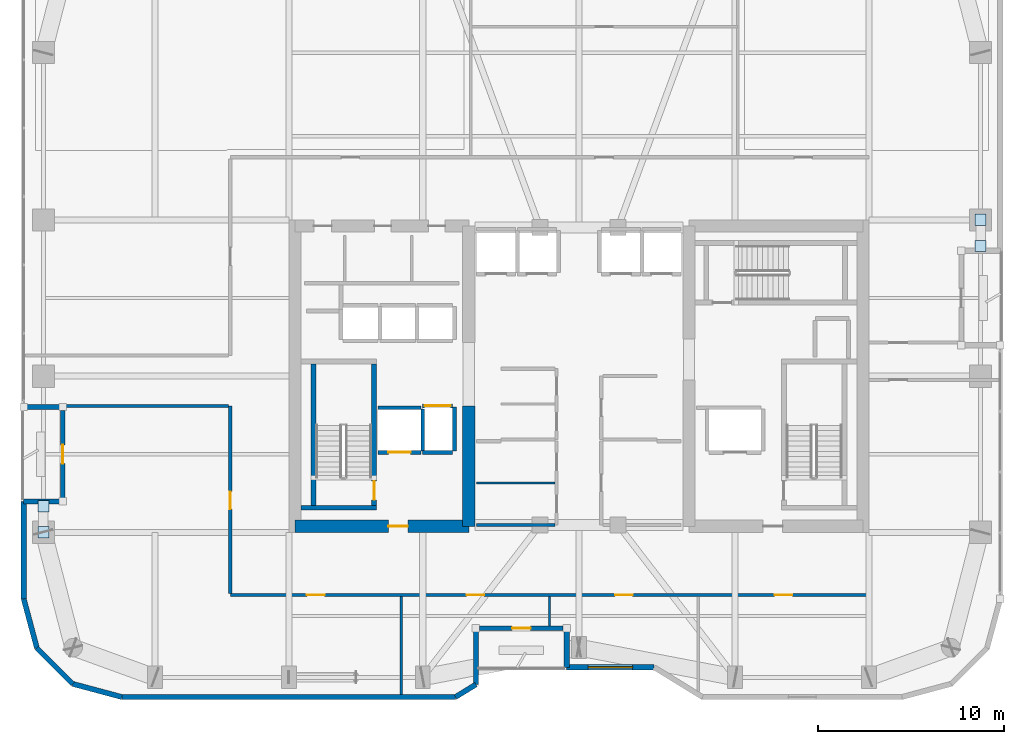
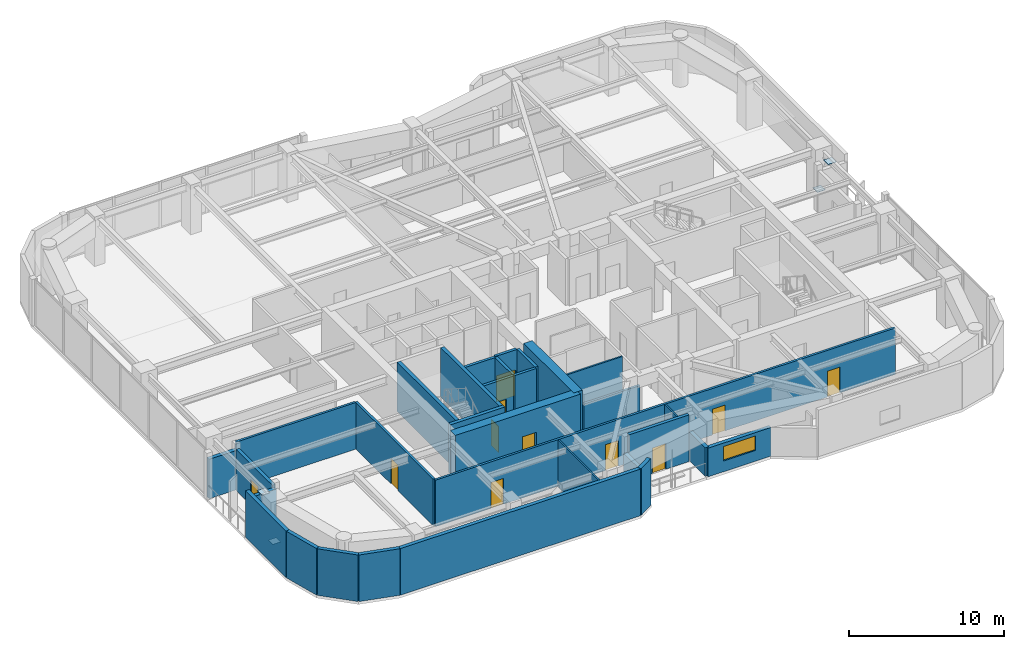
# One storey, part 24 of 30: 31 walls, 11 doors, 4 plates, 1 window, 12 openings.
"""IFC4 building model written with IfcOpenShell, lengths in metres."""

from ifc_helpers import new_model, si_unit, direction, frame, frame_2d, origin, origin_2d, place, context, subcontext, project, spatial, rectangle, extrude, material, layer, layer_set, type_object, element, fill, save


model = new_model("IFC4")

# Units and contexts
model_context = context("Model", 3, precision=1e-05, world=origin(), true_north=direction((0.0, 1.0)))
body_context = subcontext(model_context, "Body", "Model", "MODEL_VIEW")
ifc_project = project(units=[si_unit("LENGTHUNIT", "METRE"), si_unit("AREAUNIT", "SQUARE_METRE"), si_unit("VOLUMEUNIT", "CUBIC_METRE"), si_unit("PLANEANGLEUNIT", "RADIAN"), si_unit("MASSUNIT", "GRAM", prefix="KILO")], contexts=[model_context])

# Site, building, storey
site_placement = place(None, origin())
site = spatial("IfcSite", under=ifc_project, at=site_placement, CompositionType="ELEMENT")
building_placement = place(site_placement, origin())
building = spatial("IfcBuilding", under=site, at=building_placement, Name="Kiyonajd Concourse Tower", CompositionType="ELEMENT")
storey_placement = place(building_placement, frame((0.0, 0.0, 190.199951171875)))
storey = spatial("IfcBuildingStorey", under=building, at=storey_placement, Name="L48", CompositionType="ELEMENT", Elevation=190.199951171875)

# Plates
ifc_material_1 = material(Name="Steel ASTM A572 Grade 50", Category="steel")
ifc_layer_1 = layer(ifc_material_1, 0.028076171875)
ifc_layer_set_1 = layer_set([ifc_layer_1], Name="Steel ASTM A572 Grade 50")
plate_type = type_object("IfcPlateType", Name="PL-CAP-450", PredefinedType="USERDEFINED", material=ifc_layer_set_1)
for number, where, z_axis, x_axis, name in (
    (1, (19.199951171875, 27.595458984375, 0.27587890625), (0.0, 0.0, 1.0), (1.0, 0.0, 0.0), "L48 Hollow Brace End Cap Plate PBW"),
    (2, (19.199951171875, 29.004638671875, 3.326171875), (0.0, 0.0, 1.0), (1.0, 0.0, 0.0), "L48 Hollow Brace Top Cap Plate PBW"),
    (3, (69.60009765625, 44.404541015625, 0.27587890625), (0.0, 0.0, 1.0), (1.0, 0.0, 0.0), "L48 Hollow Brace End Cap Plate PBE"),
    (4, (69.60009765625, 42.995361328125, 3.326171875), (0.0, 0.0, 1.0), (1.0, 0.0, 0.0), "L48 Hollow Brace Top Cap Plate PBE"),
):
    element("IfcPlate", number, at=place(storey_placement, frame(where, z_axis=z_axis, x_axis=x_axis)), inside=storey, type_object=plate_type, Name=name, ObjectType="CAP PLATE", PredefinedType="USERDEFINED", context=body_context, shape_type="SweptSolid", body=[
        extrude(rectangle(XDim=0.60791015625, YDim=0.60791015625, at=origin_2d()), origin(), (0.0, 0.0, 1.0), 0.028076171875),
    ])

# Wall
ifc_material_2 = material(Name="Concrete C60/75", Category="concrete")
ifc_layer_2 = layer(ifc_material_2, 0.64990234375)
ifc_layer_set_2 = layer_set([ifc_layer_2], Name="Concrete C60/75")
wall_type_1 = type_object("IfcWallType", Name="WL-CORE-650", PredefinedType="SHEAR", material=ifc_layer_set_2)
wall_1_placement = place(storey_placement, frame((42.074951171875, 27.925048828125, 0.0), z_axis=(0.0, 0.0, 1.0), x_axis=(0.0, 1.0, 0.0)))
element("IfcWall", 5, at=wall_1_placement, inside=storey, type_object=wall_type_1, Name="L48 West Core Inner South Shear Wall", PredefinedType="SHEAR", context=body_context, shape_type="SweptSolid", body=[
    extrude(rectangle(XDim=6.474853515625, YDim=0.64990234375, at=frame_2d((3.2373046875, 0.0))), origin(), (0.0, 0.0, 1.0), 3.900146484375),
])

# Wall, opening, door
wall_2_placement = place(storey_placement, frame((32.72509765625, 27.925048828125, 0.0), z_axis=(0.0, 0.0, 1.0), x_axis=(1.0, 0.0, 0.0)))
wall_2 = element("IfcWall", 6, at=wall_2_placement, inside=storey, type_object=wall_type_1, Name="L48 West Core South Shear Wall", PredefinedType="SHEAR", context=body_context, shape_type="SweptSolid", body=[
    extrude(rectangle(XDim=9.349853515625, YDim=0.64990234375, at=frame_2d((4.6748046875, 0.0))), origin(), (0.0, 0.0, 1.0), 3.900146484375),
])
opening_1_placement = place(wall_2_placement, frame((5.02490234375, 0.0, 0.0)))
opening_1 = element("IfcOpeningElement", 7, at=opening_1_placement, cuts=wall_2, Name="Opening DF5", PredefinedType="OPENING", context=body_context, shape_type="SweptSolid", body=[
    extrude(rectangle(XDim=1.050048828125, YDim=2.0400390625, at=frame_2d((0.52490234375, 1.02001953125))), frame((0.0, 0.3349609375, 0.0), z_axis=(0.0, -1.0, 0.0), x_axis=(1.0, 0.0, 0.0)), (0.0, 0.0, 1.0), 0.669921875),
])
ifc_material_3 = material(Name="Brushed Stainless Steel Cab Assembly", Category="steel")
door_type_1 = type_object("IfcDoorType", Name="DR-FD45-1050", OperationType="NOTDEFINED", PredefinedType="DOOR", material=ifc_material_3)
door_1_placement = place(opening_1_placement, origin())
door_1 = element("IfcDoor", 8, at=door_1_placement, inside=storey, type_object=door_type_1, Name="L48 Firefighting Lift Lobby W Smoke Door", OperationType="SINGLE_SWING_LEFT", OverallHeight=2.0400390625, OverallWidth=1.050048828125, PredefinedType="DOOR", context=body_context, shape_type="SweptSolid", body=[
    extrude(rectangle(XDim=1.050048828125, YDim=2.0400390625, at=frame_2d((0.52490234375, 1.02001953125))), frame((0.0, 0.02490234375, 0.0), z_axis=(0.0, -1.0, 0.0), x_axis=(1.0, 0.0, 0.0)), (0.0, 0.0, 1.0), 0.050048828125),
])
fill(opening_1, door_1)

# Walls
ifc_material_4 = material(Name="Precast concrete C50/60", Category="concrete")
ifc_layer_3 = layer(ifc_material_4, 0.280029296875)
ifc_layer_set_3 = layer_set([ifc_layer_3], Name="Precast concrete C50/60")
wall_type_2 = type_object("IfcWallType", Name="WL-EXT-280", PredefinedType="SOLIDWALL", material=ifc_layer_set_3)
wall_3_placement = place(storey_placement, frame((18.848388671875, 21.37255859375, 0.0), z_axis=(0.0, 0.0, 1.0), x_axis=(-0.258672222976, 0.9659651552, 0.0)))
element("IfcWall", 9, at=wall_3_placement, inside=storey, type_object=wall_type_2, Name="L48 Exterior Concrete Frame Wall 00", PredefinedType="SOLIDWALL", context=body_context, shape_type="SweptSolid", body=[
    extrude(rectangle(XDim=2.739013671875, YDim=0.280029296875, at=frame_2d((1.36962890625, 0.0))), origin(), (0.0, 0.0, 1.0), 3.679931640625),
])
wall_4_placement = place(storey_placement, frame((18.139892578125, 24.018310546875, 0.0), z_axis=(0.0, 0.0, 1.0), x_axis=(0.0, 1.0, 0.0)))
element("IfcWall", 10, at=wall_4_placement, inside=storey, type_object=wall_type_2, Name="L48 Exterior Concrete Frame Wall 01", PredefinedType="SOLIDWALL", context=body_context, shape_type="SweptSolid", body=[
    extrude(rectangle(XDim=5.24169921875, YDim=0.280029296875, at=frame_2d((2.620849609375, 0.0))), origin(), (0.0, 0.0, 1.0), 3.679931640625),
])
for number, where, z_axis, x_axis, name in (
    (11, (18.139892578125, 29.260009765625, 0.0), (0.0, 0.0, 1.0), (1.0, 0.0, 0.0), "L48 Exterior Concrete Frame Wall 02"),
    (12, (20.239990234375, 34.340087890625, 0.0), (0.0, 0.0, 1.0), (-1.0, 0.0, 0.0), "L48 Exterior Concrete Frame Wall 04"),
):
    element("IfcWall", number, at=place(storey_placement, frame(where, z_axis=z_axis, x_axis=x_axis)), inside=storey, type_object=wall_type_2, Name=name, PredefinedType="SOLIDWALL", context=body_context, shape_type="SweptSolid", body=[
        extrude(rectangle(XDim=2.10009765625, YDim=0.280029296875, at=frame_2d((1.050048828125, 0.0))), origin(), (0.0, 0.0, 1.0), 3.115966796875),
    ])

# Wall, opening, window
wall_5_placement = place(storey_placement, frame((52.03955078125, 20.340087890625, 0.0), z_axis=(0.0, 0.0, 1.0), x_axis=(-1.0, 0.0, 0.0)))
wall_5 = element("IfcWall", 13, at=wall_5_placement, inside=storey, type_object=wall_type_2, Name="L48 Exterior Concrete Frame Wall 30", PredefinedType="SOLIDWALL", context=body_context, shape_type="SweptSolid", body=[
    extrude(rectangle(XDim=4.699462890625, YDim=0.280029296875, at=frame_2d((2.349609375, 0.0))), origin(), (0.0, 0.0, 1.0), 2.26513671875),
])
opening_2_placement = place(wall_5_placement, frame((1.14990234375, 0.0, 0.85009765625)))
opening_2 = element("IfcOpeningElement", 14, at=opening_2_placement, cuts=wall_5, Name="Opening WN4", PredefinedType="OPENING", context=body_context, shape_type="SweptSolid", body=[
    extrude(rectangle(XDim=2.39990234375, YDim=1.14990234375, at=frame_2d((1.199951171875, 0.574951171875))), frame((0.0, 0.14990234375, 0.0), z_axis=(0.0, -1.0, 0.0), x_axis=(1.0, 0.0, 0.0)), (0.0, 0.0, 1.0), 0.300048828125),
])
ifc_material_5 = material(Name="Double Low-E Insulated Glass", Category="glass")
window_type = type_object("IfcWindowType", Name="WN-VIS-2400x1150", PartitioningType="SINGLE_PANEL", PredefinedType="WINDOW", material=ifc_material_5)
window_placement = place(opening_2_placement, origin())
window = element("IfcWindow", 15, at=window_placement, inside=storey, type_object=window_type, Name="L48 Modular Facade Vision Window 30", OverallHeight=1.14990234375, OverallWidth=2.39990234375, PartitioningType="SINGLE_PANEL", PredefinedType="WINDOW", context=body_context, shape_type="SweptSolid", body=[
    extrude(rectangle(XDim=2.39990234375, YDim=1.14990234375, at=frame_2d((1.199951171875, 0.574951171875))), frame((0.0, 0.030029296875, 0.0), z_axis=(0.0, -1.0, 0.0), x_axis=(1.0, 0.0, 0.0)), (0.0, 0.0, 1.0), 0.06005859375),
])
fill(opening_2, window)

# Walls
wall_6_placement = place(storey_placement, frame((47.340087890625, 20.340087890625, 0.0), z_axis=(0.0, 0.0, 1.0), x_axis=(0.0, 1.0, 0.0)))
element("IfcWall", 16, at=wall_6_placement, inside=storey, type_object=wall_type_2, Name="L48 Exterior Concrete Frame Wall 31", PredefinedType="SOLIDWALL", context=body_context, shape_type="SweptSolid", body=[
    extrude(rectangle(XDim=2.099853515625, YDim=0.280029296875, at=frame_2d((1.0498046875, 0.0))), origin(), (0.0, 0.0, 1.0), 2.26513671875),
])
wall_7_placement = place(storey_placement, frame((42.4599609375, 22.43994140625, 0.0), z_axis=(0.0, 0.0, 1.0), x_axis=(0.0, -1.0, 0.0)))
element("IfcWall", 17, at=wall_7_placement, inside=storey, type_object=wall_type_2, Name="L48 Exterior Concrete Frame Wall 33", PredefinedType="SOLIDWALL", context=body_context, shape_type="SweptSolid", body=[
    extrude(rectangle(XDim=3.023681640625, YDim=0.280029296875, at=frame_2d((1.51171875, 0.0))), origin(), (0.0, 0.0, 1.0), 2.26513671875),
])
wall_8_placement = place(storey_placement, frame((42.4599609375, 19.416259765625, 0.0), z_axis=(0.0, 0.0, 1.0), x_axis=(-0.851801140441, -0.523865266212, 0.0)))
element("IfcWall", 18, at=wall_8_placement, inside=storey, type_object=wall_type_2, Name="L48 Exterior Concrete Frame Wall 34", PredefinedType="SOLIDWALL", context=body_context, shape_type="SweptSolid", body=[
    extrude(rectangle(XDim=1.291015625, YDim=0.280029296875, at=frame_2d((0.6455078125, 0.0))), origin(), (0.0, 0.0, 1.0), 3.679931640625),
])
wall_9_placement = place(storey_placement, frame((41.3603515625, 18.739990234375, 0.0), z_axis=(0.0, 0.0, 1.0), x_axis=(-1.0, 0.0, 0.0)))
element("IfcWall", 19, at=wall_9_placement, inside=storey, type_object=wall_type_2, Name="L48 Exterior Concrete Frame Wall 35", PredefinedType="SOLIDWALL", context=body_context, shape_type="SweptSolid", body=[
    extrude(rectangle(XDim=17.94189453125, YDim=0.280029296875, at=frame_2d((8.970947265625, 0.0))), origin(), (0.0, 0.0, 1.0), 3.679931640625),
])
wall_10_placement = place(storey_placement, frame((23.41845703125, 18.739990234375, 0.0), z_axis=(0.0, 0.0, 1.0), x_axis=(-0.965971118627, 0.258649952598, 0.0)))
element("IfcWall", 20, at=wall_10_placement, inside=storey, type_object=wall_type_2, Name="L48 Exterior Concrete Frame Wall 36", PredefinedType="SOLIDWALL", context=body_context, shape_type="SweptSolid", body=[
    extrude(rectangle(XDim=2.7392578125, YDim=0.280029296875, at=frame_2d((1.36962890625, 0.0))), origin(), (0.0, 0.0, 1.0), 3.679931640625),
])
wall_11_placement = place(storey_placement, frame((20.7724609375, 19.448486328125, 0.0), z_axis=(0.0, 0.0, 1.0), x_axis=(-0.707106781187, 0.707106781187, 0.0)))
element("IfcWall", 21, at=wall_11_placement, inside=storey, type_object=wall_type_2, Name="L48 Exterior Concrete Frame Wall 37", PredefinedType="SOLIDWALL", context=body_context, shape_type="SweptSolid", body=[
    extrude(rectangle(XDim=2.720947265625, YDim=0.280029296875, at=frame_2d((1.3603515625, 0.0))), origin(), (0.0, 0.0, 1.0), 3.679931640625),
])

# Wall, opening, door
ifc_layer_4 = layer(ifc_material_4, 0.239990234375)
ifc_layer_set_4 = layer_set([ifc_layer_4], Name="Precast concrete C50/60")
wall_type_3 = type_object("IfcWallType", Name="WL-LOG-240", PredefinedType="SOLIDWALL", material=ifc_layer_set_4)
wall_12_placement = place(storey_placement, frame((20.239990234375, 29.455078125, 0.0), z_axis=(0.0, 0.0, 1.0), x_axis=(0.0, 1.0, 0.0)))
wall_12 = element("IfcWall", 22, at=wall_12_placement, inside=storey, type_object=wall_type_3, Name="L48 Recessed Loggia Thermal Wall LOG-W", PredefinedType="SOLIDWALL", context=body_context, shape_type="SweptSolid", body=[
    extrude(rectangle(XDim=4.68994140625, YDim=0.239990234375, at=frame_2d((2.344970703125, 0.0))), origin(), (0.0, 0.0, 1.0), 3.248046875),
])
opening_3_placement = place(wall_12_placement, frame((1.844970703125, 0.0, 0.0)))
opening_3 = element("IfcOpeningElement", 23, at=opening_3_placement, cuts=wall_12, Name="Opening DL1", PredefinedType="OPENING", context=body_context, shape_type="SweptSolid", body=[
    extrude(rectangle(XDim=1.0, YDim=2.02001953125, at=frame_2d((0.5, 1.010009765625))), frame((0.0, 0.1298828125, 0.0), z_axis=(0.0, -1.0, 0.0), x_axis=(1.0, 0.0, 0.0)), (0.0, 0.0, 1.0), 0.260009765625),
])
ifc_material_6 = material(Name="Thermally Broken Anodised Aluminium", Category="aluminium")
door_type_2 = type_object("IfcDoorType", Name="DR-LOG-1000", OperationType="NOTDEFINED", PredefinedType="DOOR", material=ifc_material_6)
door_2_placement = place(opening_3_placement, origin())
door_2 = element("IfcDoor", 24, at=door_2_placement, inside=storey, type_object=door_type_2, Name="L48 Engawa Loggia Access Door LOG-W", OperationType="SINGLE_SWING_LEFT", OverallHeight=2.02001953125, OverallWidth=1.0, PredefinedType="DOOR", context=body_context, shape_type="SweptSolid", body=[
    extrude(rectangle(XDim=1.0, YDim=2.02001953125, at=frame_2d((0.5, 1.010009765625))), frame((0.0, 0.02490234375, 0.0), z_axis=(0.0, -1.0, 0.0), x_axis=(1.0, 0.0, 0.0)), (0.0, 0.0, 1.0), 0.050048828125),
])
fill(opening_3, door_2)

wall_13_placement = place(storey_placement, frame((47.14501953125, 22.43994140625, 0.0), z_axis=(0.0, 0.0, 1.0), x_axis=(-1.0, 0.0, 0.0)))
wall_13 = element("IfcWall", 25, at=wall_13_placement, inside=storey, type_object=wall_type_3, Name="L48 Recessed Loggia Thermal Wall LOG-S", PredefinedType="SOLIDWALL", context=body_context, shape_type="SweptSolid", body=[
    extrude(rectangle(XDim=4.489990234375, YDim=0.239990234375, at=frame_2d((2.2451171875, 0.0))), origin(), (0.0, 0.0, 1.0), 3.679931640625),
])
opening_4_placement = place(wall_13_placement, frame((1.7451171875, 0.0, 0.0)))
opening_4 = element("IfcOpeningElement", 26, at=opening_4_placement, cuts=wall_13, Name="Opening DL1", PredefinedType="OPENING", context=body_context, shape_type="SweptSolid", body=[
    extrude(rectangle(XDim=1.0, YDim=2.02001953125, at=frame_2d((0.5, 1.010009765625))), frame((0.0, 0.1298828125, 0.0), z_axis=(0.0, -1.0, 0.0), x_axis=(1.0, 0.0, 0.0)), (0.0, 0.0, 1.0), 0.260009765625),
])
door_3_placement = place(opening_4_placement, origin())
door_3 = element("IfcDoor", 27, at=door_3_placement, inside=storey, type_object=door_type_2, Name="L48 Engawa Loggia Access Door LOG-S", OperationType="SINGLE_SWING_RIGHT", OverallHeight=2.02001953125, OverallWidth=1.0, PredefinedType="DOOR", context=body_context, shape_type="SweptSolid", body=[
    extrude(rectangle(XDim=1.0, YDim=2.02001953125, at=frame_2d((0.5, 1.010009765625))), frame((0.0, 0.02490234375, 0.0), z_axis=(0.0, -1.0, 0.0), x_axis=(1.0, 0.0, 0.0)), (0.0, 0.0, 1.0), 0.050048828125),
])
fill(opening_4, door_3)

# Walls
ifc_material_7 = material(Name="Gypsum Board on Cold-Formed Steel Stud", Category="steel")
ifc_layer_5 = layer(ifc_material_7, 0.125)
ifc_layer_set_5 = layer_set([ifc_layer_5], Name="Gypsum Board on Cold-Formed Steel Stud")
wall_type_4 = type_object("IfcWallType", Name="WL-PART-125", PredefinedType="PARTITIONING", material=ifc_layer_set_5)
wall_14_placement = place(storey_placement, frame((42.5, 30.25, 0.0), z_axis=(0.0, 0.0, 1.0), x_axis=(1.0, 0.0, 0.0)))
element("IfcWall", 28, at=wall_14_placement, inside=storey, type_object=wall_type_4, Name="L48 Interior Partition Wall", PredefinedType="PARTITIONING", context=body_context, shape_type="SweptSolid", body=[
    extrude(rectangle(XDim=4.212890625, YDim=0.125, at=frame_2d((2.1064453125, 0.0))), origin(), (0.0, 0.0, 1.0), 3.679931640625),
])
wall_15_placement = place(storey_placement, frame((38.43994140625, 18.875, 0.0), z_axis=(0.0, 0.0, 1.0), x_axis=(0.0, 1.0, 0.0)))
element("IfcWall", 29, at=wall_15_placement, inside=storey, type_object=wall_type_4, Name="L48 Interior Partition Wall", PredefinedType="PARTITIONING", context=body_context, shape_type="SweptSolid", body=[
    extrude(rectangle(XDim=5.26806640625, YDim=0.125, at=frame_2d((2.634033203125, 0.0))), origin(), (0.0, 0.0, 1.0), 3.679931640625),
])
wall_16_placement = place(storey_placement, frame((46.419921875, 22.554931640625, 0.0), z_axis=(0.0, 0.0, 1.0), x_axis=(0.0, 1.0, 0.0)))
element("IfcWall", 30, at=wall_16_placement, inside=storey, type_object=wall_type_4, Name="L48 Interior Partition Wall", PredefinedType="PARTITIONING", context=body_context, shape_type="SweptSolid", body=[
    extrude(rectangle(XDim=1.588134765625, YDim=0.125, at=frame_2d((0.7939453125, 0.0))), origin(), (0.0, 0.0, 1.0), 3.679931640625),
])

# Wall, opening, door
ifc_layer_6 = layer(ifc_material_7, 0.2099609375)
ifc_layer_set_6 = layer_set([ifc_layer_6], Name="Gypsum Board on Cold-Formed Steel Stud")
wall_type_5 = type_object("IfcWallType", Name="WL-SHAFT-210", PredefinedType="PARTITIONING", material=ifc_layer_set_6)
wall_17_placement = place(storey_placement, frame((37.199951171875, 31.89990234375, 0.0), z_axis=(0.0, 0.0, 1.0), x_axis=(1.0, 0.0, 0.0)))
wall_17 = element("IfcWall", 31, at=wall_17_placement, inside=storey, type_object=wall_type_5, Name="L48 Shaft Enclosure Wall", PredefinedType="PARTITIONING", context=body_context, shape_type="SweptSolid", body=[
    extrude(rectangle(XDim=2.300048828125, YDim=0.2099609375, at=frame_2d((1.14990234375, 0.0))), origin(), (0.0, 0.0, 1.0), 3.679931640625),
])
opening_5_placement = place(wall_17_placement, frame((0.550048828125, 0.0, 0.0)))
opening_5 = element("IfcOpeningElement", 32, at=opening_5_placement, cuts=wall_17, Name="Opening LD2", PredefinedType="OPENING", context=body_context, shape_type="SweptSolid", body=[
    extrude(rectangle(XDim=1.199951171875, YDim=2.0400390625, at=frame_2d((0.60009765625, 1.02001953125))), frame((0.0, 0.114990234375, 0.0), z_axis=(0.0, -1.0, 0.0), x_axis=(1.0, 0.0, 0.0)), (0.0, 0.0, 1.0), 0.22998046875),
])
door_type_3 = type_object("IfcDoorType", Name="DR-LD-1200", OperationType="DOUBLE_DOOR_SLIDING", PredefinedType="DOOR", material=ifc_material_3)
door_4_placement = place(opening_5_placement, origin())
door_4 = element("IfcDoor", 33, at=door_4_placement, inside=storey, type_object=door_type_3, Name="L48 Lift FFL1 Sliding Landing Door", OperationType="DOUBLE_DOOR_SLIDING", OverallHeight=2.0400390625, OverallWidth=1.199951171875, PredefinedType="DOOR", context=body_context, shape_type="SweptSolid", body=[
    extrude(rectangle(XDim=1.199951171875, YDim=2.0400390625, at=frame_2d((0.60009765625, 1.02001953125))), frame((0.0, 0.02490234375, 0.0), z_axis=(0.0, -1.0, 0.0), x_axis=(1.0, 0.0, 0.0)), (0.0, 0.0, 1.0), 0.050048828125),
])
fill(opening_5, door_4)

# Walls
wall_18_placement = place(storey_placement, frame((37.199951171875, 34.300048828125, 0.0), z_axis=(0.0, 0.0, 1.0), x_axis=(1.0, 0.0, 0.0)))
element("IfcWall", 34, at=wall_18_placement, inside=storey, type_object=wall_type_5, Name="L48 Shaft Enclosure Wall", PredefinedType="PARTITIONING", context=body_context, shape_type="SweptSolid", body=[
    extrude(rectangle(XDim=2.300048828125, YDim=0.2099609375, at=frame_2d((1.14990234375, 0.0))), origin(), (0.0, 0.0, 1.0), 3.679931640625),
])
wall_19_placement = place(storey_placement, frame((39.60009765625, 31.9599609375, 0.0), z_axis=(0.0, 0.0, 1.0), x_axis=(0.0, 1.0, 0.0)))
element("IfcWall", 35, at=wall_19_placement, inside=storey, type_object=wall_type_5, Name="L48 Shaft Enclosure Wall", PredefinedType="PARTITIONING", context=body_context, shape_type="SweptSolid", body=[
    extrude(rectangle(XDim=2.280029296875, YDim=0.2099609375, at=frame_2d((1.14013671875, 0.0))), origin(), (0.0, 0.0, 1.0), 3.679931640625),
])

# Wall, opening, door
wall_20_placement = place(storey_placement, frame((39.60009765625, 34.39990234375, 0.0), z_axis=(0.0, 0.0, 1.0), x_axis=(1.0, 0.0, 0.0)))
wall_20 = element("IfcWall", 36, at=wall_20_placement, inside=storey, type_object=wall_type_5, Name="L48 Shaft Enclosure Wall", PredefinedType="PARTITIONING", context=body_context, shape_type="SweptSolid", body=[
    extrude(rectangle(XDim=1.599853515625, YDim=0.2099609375, at=frame_2d((0.7998046875, 0.0))), origin(), (0.0, 0.0, 1.0), 3.679931640625),
])
opening_6_placement = place(wall_20_placement, frame((0.10009765625, 0.0, 0.0)))
opening_6 = element("IfcOpeningElement", 37, at=opening_6_placement, cuts=wall_20, Name="Opening LD3", PredefinedType="OPENING", context=body_context, shape_type="SweptSolid", body=[
    extrude(rectangle(XDim=1.39990234375, YDim=2.06005859375, at=frame_2d((0.699951171875, 1.030029296875))), frame((0.0, 0.114990234375, 0.0), z_axis=(0.0, -1.0, 0.0), x_axis=(1.0, 0.0, 0.0)), (0.0, 0.0, 1.0), 0.22998046875),
])
door_type_4 = type_object("IfcDoorType", Name="DR-LD-1400", OperationType="DOUBLE_DOOR_SLIDING", PredefinedType="DOOR", material=ifc_material_3)
door_5_placement = place(opening_6_placement, origin())
door_5 = element("IfcDoor", 38, at=door_5_placement, inside=storey, type_object=door_type_4, Name="L48 Lift SVL1 Sliding Landing Door", OperationType="DOUBLE_DOOR_SLIDING", OverallHeight=2.06005859375, OverallWidth=1.39990234375, PredefinedType="DOOR", context=body_context, shape_type="SweptSolid", body=[
    extrude(rectangle(XDim=1.39990234375, YDim=2.06005859375, at=frame_2d((0.699951171875, 1.030029296875))), frame((0.0, 0.02490234375, 0.0), z_axis=(0.0, -1.0, 0.0), x_axis=(1.0, 0.0, 0.0)), (0.0, 0.0, 1.0), 0.050048828125),
])
fill(opening_6, door_5)

# Walls
wall_21_placement = place(storey_placement, frame((39.60009765625, 31.89990234375, 0.0), z_axis=(0.0, 0.0, 1.0), x_axis=(1.0, 0.0, 0.0)))
element("IfcWall", 39, at=wall_21_placement, inside=storey, type_object=wall_type_5, Name="L48 Shaft Enclosure Wall", PredefinedType="PARTITIONING", context=body_context, shape_type="SweptSolid", body=[
    extrude(rectangle(XDim=1.599853515625, YDim=0.2099609375, at=frame_2d((0.7998046875, 0.0))), origin(), (0.0, 0.0, 1.0), 3.679931640625),
])
wall_22_placement = place(storey_placement, frame((41.300048828125, 31.9599609375, 0.0), z_axis=(0.0, 0.0, 1.0), x_axis=(0.0, 1.0, 0.0)))
element("IfcWall", 40, at=wall_22_placement, inside=storey, type_object=wall_type_5, Name="L48 Shaft Enclosure Wall", PredefinedType="PARTITIONING", context=body_context, shape_type="SweptSolid", body=[
    extrude(rectangle(XDim=2.380126953125, YDim=0.2099609375, at=frame_2d((1.18994140625, 0.0))), origin(), (0.0, 0.0, 1.0), 3.679931640625),
])
ifc_layer_7 = layer(ifc_material_7, 0.169921875)
ifc_layer_set_7 = layer_set([ifc_layer_7], Name="Gypsum Board on Cold-Formed Steel Stud")
wall_type_6 = type_object("IfcWallType", Name="WL-SMK-170", PredefinedType="PARTITIONING", material=ifc_layer_set_7)
wall_23_placement = place(storey_placement, frame((42.5, 28.0, 0.0), z_axis=(0.0, 0.0, 1.0), x_axis=(1.0, 0.0, 0.0)))
element("IfcWall", 41, at=wall_23_placement, inside=storey, type_object=wall_type_6, Name="L48 Interior Partition Wall", PredefinedType="PARTITIONING", context=body_context, shape_type="SweptSolid", body=[
    extrude(rectangle(XDim=4.212890625, YDim=0.169921875, at=frame_2d((2.1064453125, 0.0))), origin(), (0.0, 0.0, 1.0), 2.76513671875),
])

# Wall, openings, doors
wall_24_placement = place(storey_placement, frame((29.25, 24.22998046875, 0.0), z_axis=(0.0, 0.0, 1.0), x_axis=(1.0, 0.0, 0.0)))
wall_24 = element("IfcWall", 42, at=wall_24_placement, inside=storey, type_object=wall_type_6, Name="L48 Interior Partition Wall", PredefinedType="PARTITIONING", context=body_context, shape_type="SweptSolid", body=[
    extrude(rectangle(XDim=34.35009765625, YDim=0.169921875, at=frame_2d((17.175048828125, 0.0))), origin(), (0.0, 0.0, 1.0), 3.679931640625),
])
opening_7_placement = place(wall_24_placement, frame((4.1201171875, 0.0, 0.0)))
opening_7 = element("IfcOpeningElement", 43, at=opening_7_placement, cuts=wall_24, Name="Opening DI1", PredefinedType="OPENING", context=body_context, shape_type="SweptSolid", body=[
    extrude(rectangle(XDim=0.949951171875, YDim=2.0400390625, at=frame_2d((0.47509765625, 1.02001953125))), frame((0.0, 0.094970703125, 0.0), z_axis=(0.0, -1.0, 0.0), x_axis=(1.0, 0.0, 0.0)), (0.0, 0.0, 1.0), 0.18994140625),
])
opening_8_placement = place(wall_24_placement, frame((12.705078125, 0.0, 0.0)))
opening_8 = element("IfcOpeningElement", 44, at=opening_8_placement, cuts=wall_24, Name="Opening DI1", PredefinedType="OPENING", context=body_context, shape_type="SweptSolid", body=[
    extrude(rectangle(XDim=0.949951171875, YDim=2.0400390625, at=frame_2d((0.47509765625, 1.02001953125))), frame((0.0, 0.094970703125, 0.0), z_axis=(0.0, -1.0, 0.0), x_axis=(1.0, 0.0, 0.0)), (0.0, 0.0, 1.0), 0.18994140625),
])
opening_9_placement = place(wall_24_placement, frame((20.68994140625, 0.0, 0.0)))
opening_9 = element("IfcOpeningElement", 45, at=opening_9_placement, cuts=wall_24, Name="Opening DI1", PredefinedType="OPENING", context=body_context, shape_type="SweptSolid", body=[
    extrude(rectangle(XDim=0.949951171875, YDim=2.0400390625, at=frame_2d((0.47509765625, 1.02001953125))), frame((0.0, 0.094970703125, 0.0), z_axis=(0.0, -1.0, 0.0), x_axis=(1.0, 0.0, 0.0)), (0.0, 0.0, 1.0), 0.18994140625),
])
opening_10_placement = place(wall_24_placement, frame((29.280029296875, 0.0, 0.0)))
opening_10 = element("IfcOpeningElement", 46, at=opening_10_placement, cuts=wall_24, Name="Opening DI1", PredefinedType="OPENING", context=body_context, shape_type="SweptSolid", body=[
    extrude(rectangle(XDim=0.949951171875, YDim=2.0400390625, at=frame_2d((0.47509765625, 1.02001953125))), frame((0.0, 0.094970703125, 0.0), z_axis=(0.0, -1.0, 0.0), x_axis=(1.0, 0.0, 0.0)), (0.0, 0.0, 1.0), 0.18994140625),
])
ifc_material_8 = material(Name="Natural Oak Acoustic Timber Veneer", Category="wood")
door_type_5 = type_object("IfcDoorType", Name="DR-INT-950", OperationType="NOTDEFINED", PredefinedType="DOOR", material=ifc_material_8)
door_6_placement = place(opening_7_placement, origin())
door_6 = element("IfcDoor", 47, at=door_6_placement, inside=storey, type_object=door_type_5, Name="L48 Interior Door", OperationType="SINGLE_SWING_RIGHT", OverallHeight=2.0400390625, OverallWidth=0.949951171875, PredefinedType="DOOR", context=body_context, shape_type="SweptSolid", body=[
    extrude(rectangle(XDim=0.949951171875, YDim=2.0400390625, at=frame_2d((0.47509765625, 1.02001953125))), frame((0.0, 0.02490234375, 0.0), z_axis=(0.0, -1.0, 0.0), x_axis=(1.0, 0.0, 0.0)), (0.0, 0.0, 1.0), 0.050048828125),
])
fill(opening_7, door_6)
door_7_placement = place(opening_8_placement, origin())
door_7 = element("IfcDoor", 48, at=door_7_placement, inside=storey, type_object=door_type_5, Name="L48 Interior Door", OperationType="SINGLE_SWING_LEFT", OverallHeight=2.0400390625, OverallWidth=0.949951171875, PredefinedType="DOOR", context=body_context, shape_type="SweptSolid", body=[
    extrude(rectangle(XDim=0.949951171875, YDim=2.0400390625, at=frame_2d((0.47509765625, 1.02001953125))), frame((0.0, 0.02490234375, 0.0), z_axis=(0.0, -1.0, 0.0), x_axis=(1.0, 0.0, 0.0)), (0.0, 0.0, 1.0), 0.050048828125),
])
fill(opening_8, door_7)
door_8_placement = place(opening_9_placement, origin())
door_8 = element("IfcDoor", 49, at=door_8_placement, inside=storey, type_object=door_type_5, Name="L48 Interior Door", OperationType="SINGLE_SWING_RIGHT", OverallHeight=2.0400390625, OverallWidth=0.949951171875, PredefinedType="DOOR", context=body_context, shape_type="SweptSolid", body=[
    extrude(rectangle(XDim=0.949951171875, YDim=2.0400390625, at=frame_2d((0.47509765625, 1.02001953125))), frame((0.0, 0.02490234375, 0.0), z_axis=(0.0, -1.0, 0.0), x_axis=(1.0, 0.0, 0.0)), (0.0, 0.0, 1.0), 0.050048828125),
])
fill(opening_9, door_8)
door_9_placement = place(opening_10_placement, origin())
door_9 = element("IfcDoor", 50, at=door_9_placement, inside=storey, type_object=door_type_5, Name="L48 Interior Door", OperationType="SINGLE_SWING_LEFT", OverallHeight=2.0400390625, OverallWidth=0.949951171875, PredefinedType="DOOR", context=body_context, shape_type="SweptSolid", body=[
    extrude(rectangle(XDim=0.949951171875, YDim=2.0400390625, at=frame_2d((0.47509765625, 1.02001953125))), frame((0.0, 0.02490234375, 0.0), z_axis=(0.0, -1.0, 0.0), x_axis=(1.0, 0.0, 0.0)), (0.0, 0.0, 1.0), 0.050048828125),
])
fill(opening_10, door_9)

# Wall, opening, door
wall_25_placement = place(storey_placement, frame((29.25, 24.31689453125, 0.0), z_axis=(0.0, 0.0, 1.0), x_axis=(0.0, 1.0, 0.0)))
wall_25 = element("IfcWall", 51, at=wall_25_placement, inside=storey, type_object=wall_type_6, Name="L48 Interior Partition Wall", PredefinedType="PARTITIONING", context=body_context, shape_type="SweptSolid", body=[
    extrude(rectangle(XDim=10.0830078125, YDim=0.169921875, at=frame_2d((5.04150390625, 0.0))), origin(), (0.0, 0.0, 1.0), 3.679931640625),
])
opening_11_placement = place(wall_25_placement, frame((4.52294921875, 0.0, 0.0)))
opening_11 = element("IfcOpeningElement", 52, at=opening_11_placement, cuts=wall_25, Name="Opening DI1", PredefinedType="OPENING", context=body_context, shape_type="SweptSolid", body=[
    extrude(rectangle(XDim=0.949951171875, YDim=2.0400390625, at=frame_2d((0.47509765625, 1.02001953125))), frame((0.0, 0.094970703125, 0.0), z_axis=(0.0, -1.0, 0.0), x_axis=(1.0, 0.0, 0.0)), (0.0, 0.0, 1.0), 0.18994140625),
])
door_10_placement = place(opening_11_placement, origin())
door_10 = element("IfcDoor", 53, at=door_10_placement, inside=storey, type_object=door_type_5, Name="L48 Interior Door", OperationType="SINGLE_SWING_RIGHT", OverallHeight=2.0400390625, OverallWidth=0.949951171875, PredefinedType="DOOR", context=body_context, shape_type="SweptSolid", body=[
    extrude(rectangle(XDim=0.949951171875, YDim=2.0400390625, at=frame_2d((0.47509765625, 1.02001953125))), frame((0.0, 0.02490234375, 0.0), z_axis=(0.0, -1.0, 0.0), x_axis=(1.0, 0.0, 0.0)), (0.0, 0.0, 1.0), 0.050048828125),
])
fill(opening_11, door_10)

# Walls
wall_26_placement = place(storey_placement, frame((20.239990234375, 34.39990234375, 0.0), z_axis=(0.0, 0.0, 1.0), x_axis=(1.0, 0.0, 0.0)))
element("IfcWall", 54, at=wall_26_placement, inside=storey, type_object=wall_type_6, Name="L48 Interior Partition Wall", PredefinedType="PARTITIONING", context=body_context, shape_type="SweptSolid", body=[
    extrude(rectangle(XDim=8.923095703125, YDim=0.169921875, at=frame_2d((4.46142578125, 0.0))), origin(), (0.0, 0.0, 1.0), 3.679931640625),
])
ifc_material_9 = material(Name="Concrete C50/60", Category="concrete")
ifc_layer_8 = layer(ifc_material_9, 0.260009765625)
ifc_layer_set_8 = layer_set([ifc_layer_8], Name="Concrete C50/60")
wall_type_7 = type_object("IfcWallType", Name="WL-STAIR-260", PredefinedType="SHEAR", material=ifc_layer_set_8)
wall_27_placement = place(storey_placement, frame((33.050048828125, 28.919921875, 0.0), z_axis=(0.0, 0.0, 1.0), x_axis=(1.0, 0.0, 0.0)))
element("IfcWall", 55, at=wall_27_placement, inside=storey, type_object=wall_type_7, Name="L48 Stair ST1 Structural South Wall", PredefinedType="SHEAR", context=body_context, shape_type="SweptSolid", body=[
    extrude(rectangle(XDim=4.06005859375, YDim=0.260009765625, at=frame_2d((2.030029296875, 0.0))), origin(), (0.0, 0.0, 1.0), 3.900146484375),
])
wall_28_placement = place(storey_placement, frame((33.719970703125, 29.050048828125, 0.0), z_axis=(0.0, 0.0, 1.0), x_axis=(0.0, 1.0, 0.0)))
element("IfcWall", 56, at=wall_28_placement, inside=storey, type_object=wall_type_7, Name="L48 Stair ST1 Structural West Wall", PredefinedType="SHEAR", context=body_context, shape_type="SweptSolid", body=[
    extrude(rectangle(XDim=7.599853515625, YDim=0.260009765625, at=frame_2d((3.7998046875, 0.0))), origin(), (0.0, 0.0, 1.0), 3.900146484375),
])

# Wall, opening, door
wall_29_placement = place(storey_placement, frame((36.97998046875, 29.050048828125, 0.0), z_axis=(0.0, 0.0, 1.0), x_axis=(0.0, 1.0, 0.0)))
wall_29 = element("IfcWall", 57, at=wall_29_placement, inside=storey, type_object=wall_type_7, Name="L48 Stair ST1 Structural East Wall", PredefinedType="SHEAR", context=body_context, shape_type="SweptSolid", body=[
    extrude(rectangle(XDim=7.599853515625, YDim=0.260009765625, at=frame_2d((3.7998046875, 0.0))), origin(), (0.0, 0.0, 1.0), 3.900146484375),
])
opening_12_placement = place(wall_29_placement, frame((0.300048828125, 0.0, 0.0)))
opening_12 = element("IfcOpeningElement", 58, at=opening_12_placement, cuts=wall_29, Name="Opening DF1", PredefinedType="OPENING", context=body_context, shape_type="SweptSolid", body=[
    extrude(rectangle(XDim=1.0, YDim=2.0400390625, at=frame_2d((0.5, 1.02001953125))), frame((0.0, 0.139892578125, 0.0), z_axis=(0.0, -1.0, 0.0), x_axis=(1.0, 0.0, 0.0)), (0.0, 0.0, 1.0), 0.280029296875),
])
door_type_6 = type_object("IfcDoorType", Name="DR-FD90-1000", OperationType="NOTDEFINED", PredefinedType="DOOR", material=ifc_material_3)
door_11_placement = place(opening_12_placement, origin())
door_11 = element("IfcDoor", 59, at=door_11_placement, inside=storey, type_object=door_type_6, Name="L48 Stair ST1 FSAE Door", OperationType="SINGLE_SWING_LEFT", OverallHeight=2.0400390625, OverallWidth=1.0, PredefinedType="DOOR", context=body_context, shape_type="SweptSolid", body=[
    extrude(rectangle(XDim=1.0, YDim=2.0400390625, at=frame_2d((0.5, 1.02001953125))), frame((0.0, 0.02490234375, 0.0), z_axis=(0.0, -1.0, 0.0), x_axis=(1.0, 0.0, 0.0)), (0.0, 0.0, 1.0), 0.050048828125),
])
fill(opening_12, door_11)

save(model, "model.ifc")
